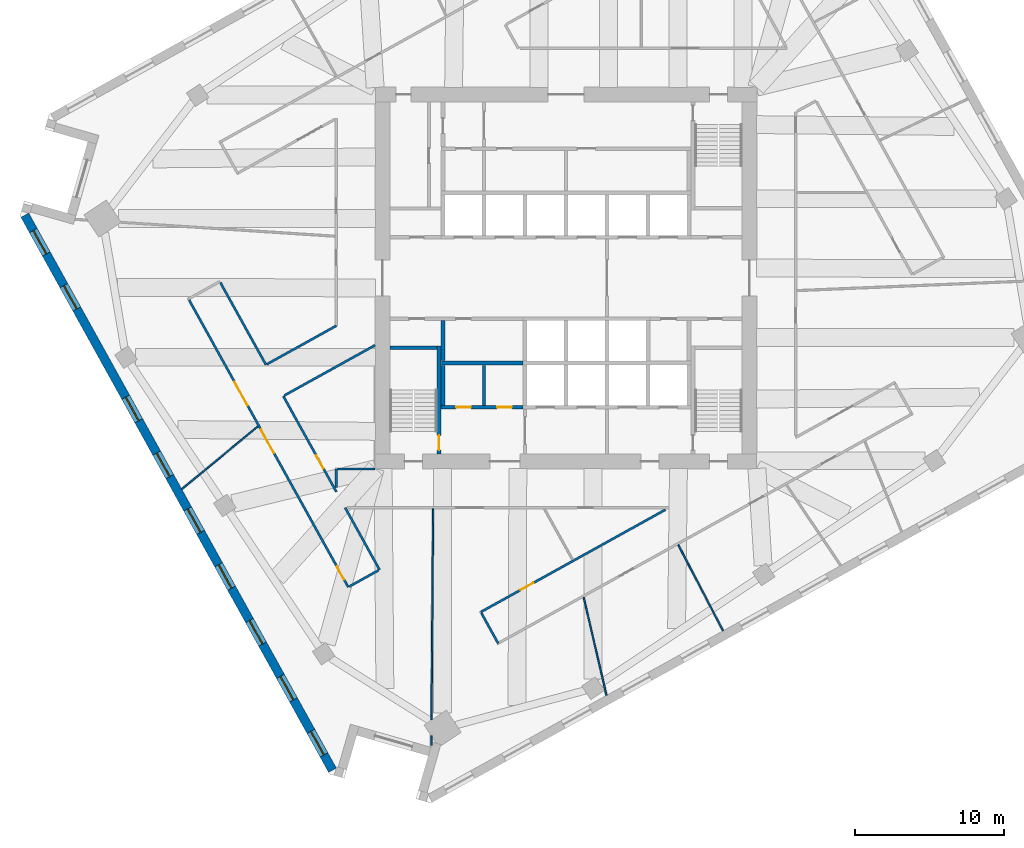
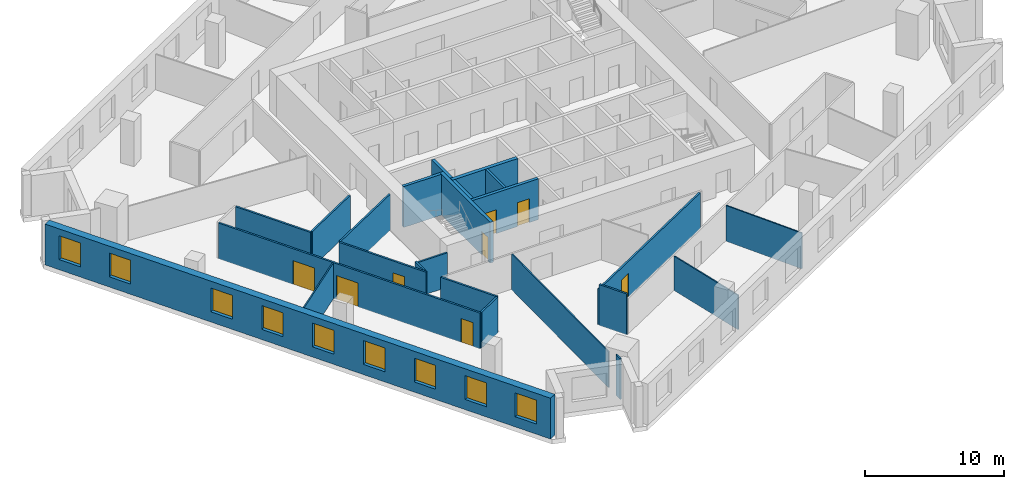
# One storey, part 5 of 12: 24 walls, 9 windows, 8 doors, 17 openings.
"""IFC4 building model written with IfcOpenShell, lengths in metres."""

from ifc_helpers import new_model, si_unit, direction, frame, frame_2d, origin, place, context, subcontext, project, spatial, rectangle, extrude, material, layer, layer_set, type_object, element, fill, save


model = new_model("IFC4")

# Units and contexts
model_context = context("Model", 3, precision=1e-05, world=origin(), true_north=direction((0.0, 1.0)))
body_context = subcontext(model_context, "Body", "Model", "MODEL_VIEW")
ifc_project = project(units=[si_unit("LENGTHUNIT", "METRE"), si_unit("AREAUNIT", "SQUARE_METRE"), si_unit("VOLUMEUNIT", "CUBIC_METRE"), si_unit("PLANEANGLEUNIT", "RADIAN"), si_unit("MASSUNIT", "GRAM", prefix="KILO")], contexts=[model_context])

# Site, building, storey
site_placement = place(None, origin())
site = spatial("IfcSite", under=ifc_project, at=site_placement, CompositionType="ELEMENT")
building_placement = place(site_placement, origin())
building = spatial("IfcBuilding", under=site, at=building_placement, Name="Dilmun Exchange Tower", CompositionType="ELEMENT")
storey_placement = place(building_placement, frame((0.0, 0.0, 143.699951171875)))
storey = spatial("IfcBuildingStorey", under=building, at=storey_placement, Name="L33", CompositionType="ELEMENT", Elevation=143.699951171875)

# Wall
ifc_material_1 = material(Name="Concrete C40/50", Category="concrete")
ifc_layer_1 = layer(ifc_material_1, 0.199951171875)
ifc_layer_set_1 = layer_set([ifc_layer_1], Name="Concrete C40/50")
wall_type_1 = type_object("IfcWallType", Name="Core partition wall 200", PredefinedType="PARTITIONING", material=ifc_layer_set_1)
wall_1_placement = place(storey_placement, frame((-5.5, -8.544921875, 0.0), z_axis=(0.0, 0.0, 1.0), x_axis=(0.0, 1.0, 0.0)))
element("IfcWall", 1, at=wall_1_placement, inside=storey, type_object=wall_type_1, Name="L33 core partition wall 05", PredefinedType="PARTITIONING", context=body_context, shape_type="SweptSolid", body=[
    extrude(rectangle(XDim=2.68994140625, YDim=0.199951171875, at=frame_2d((1.344970703125, 0.0))), origin(), (0.0, 0.0, 1.0), 3.60009765625),
])

# Wall, openings, doors
ifc_layer_2 = layer(ifc_material_1, 0.25)
ifc_layer_set_2 = layer_set([ifc_layer_2], Name="Concrete C40/50")
wall_type_2 = type_object("IfcWallType", Name="Core partition wall 250", PredefinedType="PARTITIONING", material=ifc_layer_set_2)
wall_2_placement = place(storey_placement, frame((-8.3701171875, -8.675048828125, 0.0), z_axis=(0.0, 0.0, 1.0), x_axis=(1.0, 0.0, 0.0)))
wall_2 = element("IfcWall", 2, at=wall_2_placement, inside=storey, type_object=wall_type_2, Name="L33 core partition wall 03", PredefinedType="PARTITIONING", context=body_context, shape_type="SweptSolid", body=[
    extrude(rectangle(XDim=5.490234375, YDim=0.25, at=frame_2d((2.7451171875, 0.0))), origin(), (0.0, 0.0, 1.0), 3.60009765625),
])
opening_1_placement = place(wall_2_placement, frame((0.9951171875, 0.0, 0.0)))
opening_1 = element("IfcOpeningElement", 3, at=opening_1_placement, cuts=wall_2, Name="Opening CD4", PredefinedType="OPENING", context=body_context, shape_type="SweptSolid", body=[
    extrude(rectangle(XDim=1.0, YDim=2.10009765625, at=frame_2d((0.5, 1.050048828125))), frame((0.0, 0.135009765625, 0.0), z_axis=(0.0, -1.0, 0.0), x_axis=(1.0, 0.0, 0.0)), (0.0, 0.0, 1.0), 0.27001953125),
])
opening_2_placement = place(wall_2_placement, frame((3.7451171875, 0.0, 0.0)))
opening_2 = element("IfcOpeningElement", 4, at=opening_2_placement, cuts=wall_2, Name="Opening CD4", PredefinedType="OPENING", context=body_context, shape_type="SweptSolid", body=[
    extrude(rectangle(XDim=1.0, YDim=2.10009765625, at=frame_2d((0.5, 1.050048828125))), frame((0.0, 0.135009765625, 0.0), z_axis=(0.0, -1.0, 0.0), x_axis=(1.0, 0.0, 0.0)), (0.0, 0.0, 1.0), 0.27001953125),
])
ifc_material_2 = material(Name="Fire-rated steel door set", Category="steel")
door_type_1 = type_object("IfcDoorType", Name="Core room door 1000x2100", OperationType="SINGLE_SWING_LEFT", PredefinedType="DOOR", material=ifc_material_2)
door_1_placement = place(opening_1_placement, origin())
door_1 = element("IfcDoor", 5, at=door_1_placement, inside=storey, type_object=door_type_1, Name="L33 door Male WC", OperationType="SINGLE_SWING_RIGHT", OverallHeight=2.10009765625, OverallWidth=1.0, PredefinedType="DOOR", context=body_context, shape_type="SweptSolid", body=[
    extrude(rectangle(XDim=1.0, YDim=2.10009765625, at=frame_2d((0.5, 1.050048828125))), frame((0.0, 0.02490234375, 0.0), z_axis=(0.0, -1.0, 0.0), x_axis=(1.0, 0.0, 0.0)), (0.0, 0.0, 1.0), 0.050048828125),
])
fill(opening_1, door_1)
door_2_placement = place(opening_2_placement, origin())
door_2 = element("IfcDoor", 6, at=door_2_placement, inside=storey, type_object=door_type_1, Name="L33 door Female WC", OperationType="SINGLE_SWING_RIGHT", OverallHeight=2.10009765625, OverallWidth=1.0, PredefinedType="DOOR", context=body_context, shape_type="SweptSolid", body=[
    extrude(rectangle(XDim=1.0, YDim=2.10009765625, at=frame_2d((0.5, 1.050048828125))), frame((0.0, 0.02490234375, 0.0), z_axis=(0.0, -1.0, 0.0), x_axis=(1.0, 0.0, 0.0)), (0.0, 0.0, 1.0), 0.050048828125),
])
fill(opening_2, door_2)

# Walls
for number, where, z_axis, x_axis, name in (
    (7, (-8.25, -8.544921875, 0.0), (0.0, 0.0, 1.0), (0.0, 1.0, 0.0), "L33 core partition wall 04"),
    (8, (-8.25, -5.544921875, 0.0), (0.0, 0.0, 1.0), (0.0, 1.0, 0.0), "L33 core partition wall 07"),
):
    element("IfcWall", number, at=place(storey_placement, frame(where, z_axis=z_axis, x_axis=x_axis)), inside=storey, type_object=wall_type_2, Name=name, PredefinedType="PARTITIONING", context=body_context, shape_type="SweptSolid", body=[
        extrude(rectangle(XDim=2.68994140625, YDim=0.25, at=frame_2d((1.344970703125, 0.0))), origin(), (0.0, 0.0, 1.0), 3.60009765625),
    ])
ifc_layer_3 = layer(ifc_material_1, 0.300048828125)
ifc_layer_set_3 = layer_set([ifc_layer_3], Name="Concrete C40/50")
wall_type_3 = type_object("IfcWallType", Name="Core partition wall 300", PredefinedType="PARTITIONING", material=ifc_layer_set_3)
wall_3_placement = place(storey_placement, frame((-8.35009765625, -5.699951171875, 0.0), z_axis=(0.0, 0.0, 1.0), x_axis=(1.0, 0.0, 0.0)))
element("IfcWall", 9, at=wall_3_placement, inside=storey, type_object=wall_type_3, Name="L33 core partition wall 06", PredefinedType="PARTITIONING", context=body_context, shape_type="SweptSolid", body=[
    extrude(rectangle(XDim=5.47021484375, YDim=0.300048828125, at=frame_2d((2.735107421875, 0.0))), origin(), (0.0, 0.0, 1.0), 3.60009765625),
])

# Wall, openings, doors
ifc_material_3 = material(Name="Corridor wall 150")
ifc_layer_4 = layer(ifc_material_3, 0.14990234375)
ifc_layer_set_4 = layer_set([ifc_layer_4], Name="Corridor wall 150")
wall_type_4 = type_object("IfcWallType", Name="Corridor wall 150", PredefinedType="PARTITIONING", material=ifc_layer_set_4)
wall_4_placement = place(storey_placement, frame((-25.278564453125, -1.466552734375, 0.0), z_axis=(0.0, 0.0, 1.0), x_axis=(0.484803020703, -0.874623365294, 0.0)))
wall_4 = element("IfcWall", 10, at=wall_4_placement, inside=storey, type_object=wall_type_4, Name="Corridor wall", PredefinedType="PARTITIONING", context=body_context, shape_type="SweptSolid", body=[
    extrude(rectangle(XDim=22.020263671875, YDim=0.14990234375, at=frame_2d((11.01025390625, 0.0))), origin(), (0.0, 0.0, 1.0), 3.150146484375),
])
opening_3_placement = place(wall_4_placement, frame((6.300048828125, 0.0, 0.0)))
opening_3 = element("IfcOpeningElement", 11, at=opening_3_placement, cuts=wall_4, Name="Opening TF31-D01", PredefinedType="OPENING", context=body_context, shape_type="SweptSolid", body=[
    extrude(rectangle(XDim=1.800048828125, YDim=2.10009765625, at=frame_2d((0.89990234375, 1.050048828125))), frame((0.0, 0.0849609375, 0.0), z_axis=(0.0, -1.0, 0.0), x_axis=(1.0, 0.0, 0.0)), (0.0, 0.0, 1.0), 0.169921875),
])
opening_4_placement = place(wall_4_placement, frame((9.94775390625, 0.0, 0.0)))
opening_4 = element("IfcOpeningElement", 12, at=opening_4_placement, cuts=wall_4, Name="Opening TF31-D05", PredefinedType="OPENING", context=body_context, shape_type="SweptSolid", body=[
    extrude(rectangle(XDim=1.800048828125, YDim=2.10009765625, at=frame_2d((0.89990234375, 1.050048828125))), frame((0.0, 0.0849609375, 0.0), z_axis=(0.0, -1.0, 0.0), x_axis=(1.0, 0.0, 0.0)), (0.0, 0.0, 1.0), 0.169921875),
])
opening_5_placement = place(wall_4_placement, frame((20.44775390625, 0.0, 0.0)))
opening_5 = element("IfcOpeningElement", 13, at=opening_5_placement, cuts=wall_4, Name="Opening TF31-D06", PredefinedType="OPENING", context=body_context, shape_type="SweptSolid", body=[
    extrude(rectangle(XDim=1.0, YDim=2.10009765625, at=frame_2d((0.5, 1.050048828125))), frame((0.0, 0.0849609375, 0.0), z_axis=(0.0, -1.0, 0.0), x_axis=(1.0, 0.0, 0.0)), (0.0, 0.0, 1.0), 0.169921875),
])
ifc_material_4 = material(Name="Fire door 1000 x 2100")
door_type_2 = type_object("IfcDoorType", Name="Fire door 1000 x 2100", OperationType="NOTDEFINED", PredefinedType="DOOR", material=ifc_material_4)
door_3_placement = place(opening_5_placement, frame((1.0, 0.0, 0.0), z_axis=(0.0, 0.0, 1.0), x_axis=(-1.0, 0.0, 0.0)))
door_3 = element("IfcDoor", 14, at=door_3_placement, inside=storey, type_object=door_type_2, Name="Door TF31-D06", OperationType="SINGLE_SWING_LEFT", OverallHeight=2.10009765625, OverallWidth=1.0, PredefinedType="DOOR", context=body_context, shape_type="SweptSolid", body=[
    extrude(rectangle(XDim=1.0, YDim=2.10009765625, at=frame_2d((0.5, 1.050048828125))), frame((0.0, 0.02490234375, 0.0), z_axis=(0.0, -1.0, 0.0), x_axis=(1.0, 0.0, 0.0)), (0.0, 0.0, 1.0), 0.050048828125),
])
fill(opening_5, door_3)
ifc_material_5 = material(Name="Fire door pair 1800 x 2100")
door_type_3 = type_object("IfcDoorType", Name="Fire door pair 1800 x 2100", OperationType="NOTDEFINED", PredefinedType="DOOR", material=ifc_material_5)
door_4_placement = place(opening_3_placement, frame((1.800048828125, 0.0, 0.0), z_axis=(0.0, 0.0, 1.0), x_axis=(-1.0, 0.0, 0.0)))
door_4 = element("IfcDoor", 15, at=door_4_placement, inside=storey, type_object=door_type_3, Name="Door TF31-D01", OperationType="DOUBLE_DOOR_SINGLE_SWING", OverallHeight=2.10009765625, OverallWidth=1.800048828125, PredefinedType="DOOR", context=body_context, shape_type="SweptSolid", body=[
    extrude(rectangle(XDim=1.800048828125, YDim=2.10009765625, at=frame_2d((0.89990234375, 1.050048828125))), frame((0.0, 0.02490234375, 0.0), z_axis=(0.0, -1.0, 0.0), x_axis=(1.0, 0.0, 0.0)), (0.0, 0.0, 1.0), 0.050048828125),
])
fill(opening_3, door_4)
door_5_placement = place(opening_4_placement, frame((1.800048828125, 0.0, 0.0), z_axis=(0.0, 0.0, 1.0), x_axis=(-1.0, 0.0, 0.0)))
door_5 = element("IfcDoor", 16, at=door_5_placement, inside=storey, type_object=door_type_3, Name="Door TF31-D05", OperationType="DOUBLE_DOOR_SINGLE_SWING", OverallHeight=2.10009765625, OverallWidth=1.800048828125, PredefinedType="DOOR", context=body_context, shape_type="SweptSolid", body=[
    extrude(rectangle(XDim=1.800048828125, YDim=2.10009765625, at=frame_2d((0.89990234375, 1.050048828125))), frame((0.0, 0.02490234375, 0.0), z_axis=(0.0, -1.0, 0.0), x_axis=(1.0, 0.0, 0.0)), (0.0, 0.0, 1.0), 0.050048828125),
])
fill(opening_4, door_5)

# Walls
wall_5_placement = place(storey_placement, frame((-23.1796875, -0.302490234375, 0.0), z_axis=(0.0, 0.0, 1.0), x_axis=(0.48477505554, -0.874638865776, 0.0)))
element("IfcWall", 17, at=wall_5_placement, inside=storey, type_object=wall_type_4, Name="Corridor wall", PredefinedType="PARTITIONING", context=body_context, shape_type="SweptSolid", body=[
    extrude(rectangle(XDim=6.307373046875, YDim=0.14990234375, at=frame_2d((3.15380859375, 0.0))), origin(), (0.0, 0.0, 1.0), 3.150146484375),
])
wall_6_placement = place(storey_placement, frame((-20.056396484375, -5.78271484375, 0.0), z_axis=(0.0, 0.0, 1.0), x_axis=(0.874645694613, 0.484762734638, 0.0)))
element("IfcWall", 18, at=wall_6_placement, inside=storey, type_object=wall_type_4, Name="Corridor wall", PredefinedType="PARTITIONING", context=body_context, shape_type="SweptSolid", body=[
    extrude(rectangle(XDim=5.323974609375, YDim=0.14990234375, at=frame_2d((2.662109375, 0.0))), origin(), (0.0, 0.0, 1.0), 3.150146484375),
])

# Wall, opening, door
wall_7_placement = place(storey_placement, frame((-18.958984375, -7.91796875, 0.0), z_axis=(0.0, 0.0, 1.0), x_axis=(0.484857684507, -0.874593062958, 0.0)))
wall_7 = element("IfcWall", 19, at=wall_7_placement, inside=storey, type_object=wall_type_4, Name="Corridor wall", PredefinedType="PARTITIONING", context=body_context, shape_type="SweptSolid", body=[
    extrude(rectangle(XDim=7.340576171875, YDim=0.14990234375, at=frame_2d((3.67041015625, 0.0))), origin(), (0.0, 0.0, 1.0), 3.150146484375),
])
opening_6_placement = place(wall_7_placement, frame((4.55029296875, 0.0, 0.0)))
opening_6 = element("IfcOpeningElement", 20, at=opening_6_placement, cuts=wall_7, Name="Opening TF31-D07", PredefinedType="OPENING", context=body_context, shape_type="SweptSolid", body=[
    extrude(rectangle(XDim=1.0, YDim=2.10009765625, at=frame_2d((0.5, 1.050048828125))), frame((0.0, 0.0849609375, 0.0), z_axis=(0.0, -1.0, 0.0), x_axis=(1.0, 0.0, 0.0)), (0.0, 0.0, 1.0), 0.169921875),
])
door_6_placement = place(opening_6_placement, origin())
door_6 = element("IfcDoor", 21, at=door_6_placement, inside=storey, type_object=door_type_2, Name="Door TF31-D07", OperationType="SINGLE_SWING_LEFT", OverallHeight=2.10009765625, OverallWidth=1.0, PredefinedType="DOOR", context=body_context, shape_type="SweptSolid", body=[
    extrude(rectangle(XDim=1.0, YDim=2.10009765625, at=frame_2d((0.5, 1.050048828125))), frame((0.0, 0.02490234375, 0.0), z_axis=(0.0, -1.0, 0.0), x_axis=(1.0, 0.0, 0.0)), (0.0, 0.0, 1.0), 0.050048828125),
])
fill(opening_6, door_6)

# Walls
wall_8_placement = place(storey_placement, frame((-18.893310546875, -7.881591796875, 0.0), z_axis=(0.0, 0.0, 1.0), x_axis=(0.874670900287, 0.484717253861, 0.0)))
element("IfcWall", 22, at=wall_8_placement, inside=storey, type_object=wall_type_4, Name="Corridor wall", PredefinedType="PARTITIONING", context=body_context, shape_type="SweptSolid", body=[
    extrude(rectangle(XDim=6.96630859375, YDim=0.14990234375, at=frame_2d((3.483154296875, 0.0))), origin(), (0.0, 0.0, 1.0), 3.150146484375),
])
wall_9_placement = place(storey_placement, frame((-15.39990234375, -14.048095703125, 0.0), z_axis=(0.0, 0.0, 1.0), x_axis=(0.0, 1.0, 0.0)))
element("IfcWall", 23, at=wall_9_placement, inside=storey, type_object=wall_type_4, Name="Corridor wall", PredefinedType="PARTITIONING", context=body_context, shape_type="SweptSolid", body=[
    extrude(rectangle(XDim=1.248046875, YDim=0.14990234375, at=frame_2d((0.6240234375, 0.0))), origin(), (0.0, 0.0, 1.0), 3.150146484375),
])
wall_10_placement = place(storey_placement, frame((-15.324951171875, -12.800048828125, 0.0), z_axis=(0.0, 0.0, 1.0), x_axis=(1.0, 0.0, 0.0)))
element("IfcWall", 24, at=wall_10_placement, inside=storey, type_object=wall_type_4, Name="Corridor wall", PredefinedType="PARTITIONING", context=body_context, shape_type="SweptSolid", body=[
    extrude(rectangle(XDim=2.52490234375, YDim=0.14990234375, at=frame_2d((1.262451171875, 0.0))), origin(), (0.0, 0.0, 1.0), 3.030029296875),
])
wall_11_placement = place(storey_placement, frame((-14.81103515625, -15.39990234375, 0.0), z_axis=(0.0, 0.0, 1.0), x_axis=(0.484728084089, -0.874664898401, 0.0)))
element("IfcWall", 25, at=wall_11_placement, inside=storey, type_object=wall_type_4, Name="Corridor wall", PredefinedType="PARTITIONING", context=body_context, shape_type="SweptSolid", body=[
    extrude(rectangle(XDim=4.759521484375, YDim=0.14990234375, at=frame_2d((2.3798828125, 0.0))), origin(), (0.0, 0.0, 1.0), 3.150146484375),
])
wall_12_placement = place(storey_placement, frame((-14.537353515625, -20.689697265625, 0.0), z_axis=(0.0, 0.0, 1.0), x_axis=(0.874699347934, 0.48466591661, 0.0)))
element("IfcWall", 26, at=wall_12_placement, inside=storey, type_object=wall_type_4, Name="Corridor wall", PredefinedType="PARTITIONING", context=body_context, shape_type="SweptSolid", body=[
    extrude(rectangle(XDim=2.249755859375, YDim=0.14990234375, at=frame_2d((1.125, 0.0))), origin(), (0.0, 0.0, 1.0), 3.150146484375),
])

# Wall, opening, door
wall_13_placement = place(storey_placement, frame((-5.714111328125, -22.39892578125, 0.0), z_axis=(0.0, 0.0, 1.0), x_axis=(0.874614395079, 0.484819203334, 0.0)))
wall_13 = element("IfcWall", 27, at=wall_13_placement, inside=storey, type_object=wall_type_4, Name="Corridor wall", PredefinedType="PARTITIONING", context=body_context, shape_type="SweptSolid", body=[
    extrude(rectangle(XDim=14.146240234375, YDim=0.14990234375, at=frame_2d((7.0732421875, 0.0))), origin(), (0.0, 0.0, 1.0), 3.150146484375),
])
opening_7_placement = place(wall_13_placement, frame((3.050048828125, 0.0, 0.0)))
opening_7 = element("IfcOpeningElement", 28, at=opening_7_placement, cuts=wall_13, Name="Opening TF31-D11", PredefinedType="OPENING", context=body_context, shape_type="SweptSolid", body=[
    extrude(rectangle(XDim=1.0, YDim=2.10009765625, at=frame_2d((0.5, 1.050048828125))), frame((0.0, 0.0849609375, 0.0), z_axis=(0.0, -1.0, 0.0), x_axis=(1.0, 0.0, 0.0)), (0.0, 0.0, 1.0), 0.169921875),
])
door_7_placement = place(opening_7_placement, origin())
door_7 = element("IfcDoor", 29, at=door_7_placement, inside=storey, type_object=door_type_2, Name="Door TF31-D11", OperationType="SINGLE_SWING_LEFT", OverallHeight=2.10009765625, OverallWidth=1.0, PredefinedType="DOOR", context=body_context, shape_type="SweptSolid", body=[
    extrude(rectangle(XDim=1.0, YDim=2.10009765625, at=frame_2d((0.5, 1.050048828125))), frame((0.0, 0.02490234375, 0.0), z_axis=(0.0, -1.0, 0.0), x_axis=(1.0, 0.0, 0.0)), (0.0, 0.0, 1.0), 0.050048828125),
])
fill(opening_7, door_7)

# Walls
wall_14_placement = place(storey_placement, frame((-5.677490234375, -22.464599609375, 0.0), z_axis=(0.0, 0.0, 1.0), x_axis=(0.484902784843, -0.874568058673, 0.0)))
element("IfcWall", 30, at=wall_14_placement, inside=storey, type_object=wall_type_4, Name="Corridor wall", PredefinedType="PARTITIONING", context=body_context, shape_type="SweptSolid", body=[
    extrude(rectangle(XDim=2.3251953125, YDim=0.14990234375, at=frame_2d((1.16259765625, 0.0))), origin(), (0.0, 0.0, 1.0), 3.60009765625),
])
ifc_material_6 = material(Name="Partition 100")
ifc_layer_5 = layer(ifc_material_6, 0.10009765625)
ifc_layer_set_5 = layer_set([ifc_layer_5], Name="Partition 100")
wall_type_5 = type_object("IfcWallType", Name="Partition 100", PredefinedType="PARTITIONING", material=ifc_layer_set_5)
wall_15_placement = place(storey_placement, frame((-25.76513671875, -14.15673828125, 0.0), z_axis=(0.0, 0.0, 1.0), x_axis=(0.772001730939, 0.635620427164, 0.0)))
element("IfcWall", 31, at=wall_15_placement, inside=storey, type_object=wall_type_5, Name="Partition", PredefinedType="PARTITIONING", context=body_context, shape_type="SweptSolid", body=[
    extrude(rectangle(XDim=6.603759765625, YDim=0.10009765625, at=frame_2d((3.3017578125, 0.0))), origin(), (0.0, 0.0, 1.0), 3.150146484375),
])
wall_16_placement = place(storey_placement, frame((-9.0361328125, -31.340087890625, 0.0), z_axis=(0.0, 0.0, 1.0), x_axis=(0.008145579251, 0.999966824219, 0.0)))
element("IfcWall", 32, at=wall_16_placement, inside=storey, type_object=wall_type_5, Name="Partition", PredefinedType="PARTITIONING", context=body_context, shape_type="SweptSolid", body=[
    extrude(rectangle(XDim=0.62939453125, YDim=0.10009765625, at=frame_2d((0.314697265625, 0.0))), origin(), (0.0, 0.0, 1.0), 3.60009765625),
])
wall_17_placement = place(storey_placement, frame((-9.022705078125, -29.63720703125, 0.0), z_axis=(0.0, 0.0, 1.0), x_axis=(0.007843639619, 0.999969238186, 0.0)))
element("IfcWall", 33, at=wall_17_placement, inside=storey, type_object=wall_type_5, Name="Partition", PredefinedType="PARTITIONING", context=body_context, shape_type="SweptSolid", body=[
    extrude(rectangle(XDim=14.162353515625, YDim=0.10009765625, at=frame_2d((7.0810546875, 0.0))), origin(), (0.0, 0.0, 1.0), 3.150146484375),
])
wall_18_placement = place(storey_placement, frame((1.18798828125, -21.4189453125, 0.0), z_axis=(0.0, 0.0, 1.0), x_axis=(0.226360220424, -0.974043659499, 0.0)))
element("IfcWall", 34, at=wall_18_placement, inside=storey, type_object=wall_type_5, Name="Partition", PredefinedType="PARTITIONING", context=body_context, shape_type="SweptSolid", body=[
    extrude(rectangle(XDim=6.747314453125, YDim=0.10009765625, at=frame_2d((3.37353515625, 0.0))), origin(), (0.0, 0.0, 1.0), 3.030029296875),
])
wall_19_placement = place(storey_placement, frame((7.5244140625, -17.892578125, 0.0), z_axis=(0.0, 0.0, 1.0), x_axis=(0.462569855846, -0.886582837902, 0.0)))
element("IfcWall", 35, at=wall_19_placement, inside=storey, type_object=wall_type_5, Name="Partition", PredefinedType="PARTITIONING", context=body_context, shape_type="SweptSolid", body=[
    extrude(rectangle(XDim=6.5029296875, YDim=0.10009765625, at=frame_2d((3.25146484375, 0.0))), origin(), (0.0, 0.0, 1.0), 3.150146484375),
])

# Wall, openings, windows
ifc_material_7 = material(Name="Precast concrete C50/60", Category="concrete")
ifc_layer_6 = layer(ifc_material_7, 0.60009765625)
ifc_layer_set_6 = layer_set([ifc_layer_6], Name="Precast concrete C50/60")
wall_type_6 = type_object("IfcWallType", Name="Precast stone-clad wall 600", PredefinedType="STANDARD", material=ifc_layer_set_6)
wall_20_placement = place(storey_placement, frame((-36.291015625, 4.209228515625, 0.0), z_axis=(0.0, 0.0, 1.0), x_axis=(0.484810659622, -0.874619131003, 0.0)))
wall_20 = element("IfcWall", 36, at=wall_20_placement, inside=storey, type_object=wall_type_6, Name="Facade wall L33-09", PredefinedType="STANDARD", context=body_context, shape_type="SweptSolid", body=[
    extrude(rectangle(XDim=42.551513671875, YDim=0.60009765625, at=frame_2d((21.27587890625, 0.0))), origin(), (0.0, 0.0, 1.0), 3.60009765625),
])
opening_8_placement = place(wall_20_placement, frame((1.177978515625, 0.0, 0.89990234375)))
opening_8 = element("IfcOpeningElement", 37, at=opening_8_placement, cuts=wall_20, Name="Opening W180-210", PredefinedType="OPENING", context=body_context, shape_type="SweptSolid", body=[
    extrude(rectangle(XDim=1.800048828125, YDim=2.10009765625, at=frame_2d((0.89990234375, 1.050048828125))), frame((0.0, 0.31005859375, 0.0), z_axis=(0.0, -1.0, 0.0), x_axis=(1.0, 0.0, 0.0)), (0.0, 0.0, 1.0), 0.6201171875),
])
opening_9_placement = place(wall_20_placement, frame((5.395751953125, 0.0, 0.89990234375)))
opening_9 = element("IfcOpeningElement", 38, at=opening_9_placement, cuts=wall_20, Name="Opening W180-210", PredefinedType="OPENING", context=body_context, shape_type="SweptSolid", body=[
    extrude(rectangle(XDim=1.800048828125, YDim=2.10009765625, at=frame_2d((0.89990234375, 1.050048828125))), frame((0.0, 0.31005859375, 0.0), z_axis=(0.0, -1.0, 0.0), x_axis=(1.0, 0.0, 0.0)), (0.0, 0.0, 1.0), 0.6201171875),
])
opening_10_placement = place(wall_20_placement, frame((13.955810546875, 0.0, 0.89990234375)))
opening_10 = element("IfcOpeningElement", 39, at=opening_10_placement, cuts=wall_20, Name="Opening W180-210", PredefinedType="OPENING", context=body_context, shape_type="SweptSolid", body=[
    extrude(rectangle(XDim=1.800048828125, YDim=2.10009765625, at=frame_2d((0.89990234375, 1.050048828125))), frame((0.0, 0.31005859375, 0.0), z_axis=(0.0, -1.0, 0.0), x_axis=(1.0, 0.0, 0.0)), (0.0, 0.0, 1.0), 0.6201171875),
])
opening_11_placement = place(wall_20_placement, frame((18.235595703125, 0.0, 0.89990234375)))
opening_11 = element("IfcOpeningElement", 40, at=opening_11_placement, cuts=wall_20, Name="Opening W180-210", PredefinedType="OPENING", context=body_context, shape_type="SweptSolid", body=[
    extrude(rectangle(XDim=1.800048828125, YDim=2.10009765625, at=frame_2d((0.89990234375, 1.050048828125))), frame((0.0, 0.31005859375, 0.0), z_axis=(0.0, -1.0, 0.0), x_axis=(1.0, 0.0, 0.0)), (0.0, 0.0, 1.0), 0.6201171875),
])
opening_12_placement = place(wall_20_placement, frame((22.515625, 0.0, 0.89990234375)))
opening_12 = element("IfcOpeningElement", 41, at=opening_12_placement, cuts=wall_20, Name="Opening W180-210", PredefinedType="OPENING", context=body_context, shape_type="SweptSolid", body=[
    extrude(rectangle(XDim=1.800048828125, YDim=2.10009765625, at=frame_2d((0.89990234375, 1.050048828125))), frame((0.0, 0.31005859375, 0.0), z_axis=(0.0, -1.0, 0.0), x_axis=(1.0, 0.0, 0.0)), (0.0, 0.0, 1.0), 0.6201171875),
])
opening_13_placement = place(wall_20_placement, frame((26.795654296875, 0.0, 0.89990234375)))
opening_13 = element("IfcOpeningElement", 42, at=opening_13_placement, cuts=wall_20, Name="Opening W180-210", PredefinedType="OPENING", context=body_context, shape_type="SweptSolid", body=[
    extrude(rectangle(XDim=1.800048828125, YDim=2.10009765625, at=frame_2d((0.89990234375, 1.050048828125))), frame((0.0, 0.31005859375, 0.0), z_axis=(0.0, -1.0, 0.0), x_axis=(1.0, 0.0, 0.0)), (0.0, 0.0, 1.0), 0.6201171875),
])
opening_14_placement = place(wall_20_placement, frame((31.07568359375, 0.0, 0.89990234375)))
opening_14 = element("IfcOpeningElement", 43, at=opening_14_placement, cuts=wall_20, Name="Opening W180-210", PredefinedType="OPENING", context=body_context, shape_type="SweptSolid", body=[
    extrude(rectangle(XDim=1.800048828125, YDim=2.10009765625, at=frame_2d((0.89990234375, 1.050048828125))), frame((0.0, 0.31005859375, 0.0), z_axis=(0.0, -1.0, 0.0), x_axis=(1.0, 0.0, 0.0)), (0.0, 0.0, 1.0), 0.6201171875),
])
opening_15_placement = place(wall_20_placement, frame((35.355712890625, 0.0, 0.89990234375)))
opening_15 = element("IfcOpeningElement", 44, at=opening_15_placement, cuts=wall_20, Name="Opening W180-210", PredefinedType="OPENING", context=body_context, shape_type="SweptSolid", body=[
    extrude(rectangle(XDim=1.800048828125, YDim=2.10009765625, at=frame_2d((0.89990234375, 1.050048828125))), frame((0.0, 0.31005859375, 0.0), z_axis=(0.0, -1.0, 0.0), x_axis=(1.0, 0.0, 0.0)), (0.0, 0.0, 1.0), 0.6201171875),
])
opening_16_placement = place(wall_20_placement, frame((39.573486328125, 0.0, 0.89990234375)))
opening_16 = element("IfcOpeningElement", 45, at=opening_16_placement, cuts=wall_20, Name="Opening W180-210", PredefinedType="OPENING", context=body_context, shape_type="SweptSolid", body=[
    extrude(rectangle(XDim=1.800048828125, YDim=2.10009765625, at=frame_2d((0.89990234375, 1.050048828125))), frame((0.0, 0.31005859375, 0.0), z_axis=(0.0, -1.0, 0.0), x_axis=(1.0, 0.0, 0.0)), (0.0, 0.0, 1.0), 0.6201171875),
])
ifc_material_8 = material(Name="Clear low-emissivity glass in aluminium frame", Category="aluminium")
window_type = type_object("IfcWindowType", Name="Punched window 1800 x 2100", PartitioningType="DOUBLE_PANEL_VERTICAL", PredefinedType="WINDOW", material=ifc_material_8)
window_1_placement = place(opening_8_placement, origin())
window_1 = element("IfcWindow", 46, at=window_1_placement, inside=storey, type_object=window_type, Name="Window 10.1", OverallHeight=2.10009765625, OverallWidth=1.800048828125, PartitioningType="SINGLE_PANEL", PredefinedType="WINDOW", context=body_context, shape_type="SweptSolid", body=[
    extrude(rectangle(XDim=1.800048828125, YDim=2.10009765625, at=frame_2d((0.89990234375, 1.050048828125))), frame((0.0, 0.030029296875, 0.0), z_axis=(0.0, -1.0, 0.0), x_axis=(1.0, 0.0, 0.0)), (0.0, 0.0, 1.0), 0.06005859375),
])
fill(opening_8, window_1)
window_2_placement = place(opening_9_placement, origin())
window_2 = element("IfcWindow", 47, at=window_2_placement, inside=storey, type_object=window_type, Name="Window 10.2", OverallHeight=2.10009765625, OverallWidth=1.800048828125, PartitioningType="SINGLE_PANEL", PredefinedType="WINDOW", context=body_context, shape_type="SweptSolid", body=[
    extrude(rectangle(XDim=1.800048828125, YDim=2.10009765625, at=frame_2d((0.89990234375, 1.050048828125))), frame((0.0, 0.030029296875, 0.0), z_axis=(0.0, -1.0, 0.0), x_axis=(1.0, 0.0, 0.0)), (0.0, 0.0, 1.0), 0.06005859375),
])
fill(opening_9, window_2)
window_3_placement = place(opening_10_placement, origin())
window_3 = element("IfcWindow", 48, at=window_3_placement, inside=storey, type_object=window_type, Name="Window 10.4", OverallHeight=2.10009765625, OverallWidth=1.800048828125, PartitioningType="SINGLE_PANEL", PredefinedType="WINDOW", context=body_context, shape_type="SweptSolid", body=[
    extrude(rectangle(XDim=1.800048828125, YDim=2.10009765625, at=frame_2d((0.89990234375, 1.050048828125))), frame((0.0, 0.030029296875, 0.0), z_axis=(0.0, -1.0, 0.0), x_axis=(1.0, 0.0, 0.0)), (0.0, 0.0, 1.0), 0.06005859375),
])
fill(opening_10, window_3)
window_4_placement = place(opening_11_placement, origin())
window_4 = element("IfcWindow", 49, at=window_4_placement, inside=storey, type_object=window_type, Name="Window 10.5", OverallHeight=2.10009765625, OverallWidth=1.800048828125, PartitioningType="SINGLE_PANEL", PredefinedType="WINDOW", context=body_context, shape_type="SweptSolid", body=[
    extrude(rectangle(XDim=1.800048828125, YDim=2.10009765625, at=frame_2d((0.89990234375, 1.050048828125))), frame((0.0, 0.030029296875, 0.0), z_axis=(0.0, -1.0, 0.0), x_axis=(1.0, 0.0, 0.0)), (0.0, 0.0, 1.0), 0.06005859375),
])
fill(opening_11, window_4)
window_5_placement = place(opening_12_placement, origin())
window_5 = element("IfcWindow", 50, at=window_5_placement, inside=storey, type_object=window_type, Name="Window 10.6", OverallHeight=2.10009765625, OverallWidth=1.800048828125, PartitioningType="SINGLE_PANEL", PredefinedType="WINDOW", context=body_context, shape_type="SweptSolid", body=[
    extrude(rectangle(XDim=1.800048828125, YDim=2.10009765625, at=frame_2d((0.89990234375, 1.050048828125))), frame((0.0, 0.030029296875, 0.0), z_axis=(0.0, -1.0, 0.0), x_axis=(1.0, 0.0, 0.0)), (0.0, 0.0, 1.0), 0.06005859375),
])
fill(opening_12, window_5)
window_6_placement = place(opening_13_placement, origin())
window_6 = element("IfcWindow", 51, at=window_6_placement, inside=storey, type_object=window_type, Name="Window 10.7", OverallHeight=2.10009765625, OverallWidth=1.800048828125, PartitioningType="SINGLE_PANEL", PredefinedType="WINDOW", context=body_context, shape_type="SweptSolid", body=[
    extrude(rectangle(XDim=1.800048828125, YDim=2.10009765625, at=frame_2d((0.89990234375, 1.050048828125))), frame((0.0, 0.030029296875, 0.0), z_axis=(0.0, -1.0, 0.0), x_axis=(1.0, 0.0, 0.0)), (0.0, 0.0, 1.0), 0.06005859375),
])
fill(opening_13, window_6)
window_7_placement = place(opening_14_placement, origin())
window_7 = element("IfcWindow", 52, at=window_7_placement, inside=storey, type_object=window_type, Name="Window 10.8", OverallHeight=2.10009765625, OverallWidth=1.800048828125, PartitioningType="SINGLE_PANEL", PredefinedType="WINDOW", context=body_context, shape_type="SweptSolid", body=[
    extrude(rectangle(XDim=1.800048828125, YDim=2.10009765625, at=frame_2d((0.89990234375, 1.050048828125))), frame((0.0, 0.030029296875, 0.0), z_axis=(0.0, -1.0, 0.0), x_axis=(1.0, 0.0, 0.0)), (0.0, 0.0, 1.0), 0.06005859375),
])
fill(opening_14, window_7)
window_8_placement = place(opening_15_placement, origin())
window_8 = element("IfcWindow", 53, at=window_8_placement, inside=storey, type_object=window_type, Name="Window 10.9", OverallHeight=2.10009765625, OverallWidth=1.800048828125, PartitioningType="SINGLE_PANEL", PredefinedType="WINDOW", context=body_context, shape_type="SweptSolid", body=[
    extrude(rectangle(XDim=1.800048828125, YDim=2.10009765625, at=frame_2d((0.89990234375, 1.050048828125))), frame((0.0, 0.030029296875, 0.0), z_axis=(0.0, -1.0, 0.0), x_axis=(1.0, 0.0, 0.0)), (0.0, 0.0, 1.0), 0.06005859375),
])
fill(opening_15, window_8)
window_9_placement = place(opening_16_placement, origin())
window_9 = element("IfcWindow", 54, at=window_9_placement, inside=storey, type_object=window_type, Name="Window 10.10", OverallHeight=2.10009765625, OverallWidth=1.800048828125, PartitioningType="SINGLE_PANEL", PredefinedType="WINDOW", context=body_context, shape_type="SweptSolid", body=[
    extrude(rectangle(XDim=1.800048828125, YDim=2.10009765625, at=frame_2d((0.89990234375, 1.050048828125))), frame((0.0, 0.030029296875, 0.0), z_axis=(0.0, -1.0, 0.0), x_axis=(1.0, 0.0, 0.0)), (0.0, 0.0, 1.0), 0.06005859375),
])
fill(opening_16, window_9)

# Wall
ifc_layer_7 = layer(ifc_material_1, 0.25)
ifc_layer_set_7 = layer_set([ifc_layer_7], Name="Concrete C40/50")
wall_type_7 = type_object("IfcWallType", Name="Stair end wall 250", PredefinedType="SOLIDWALL", material=ifc_layer_set_7)
wall_21_placement = place(storey_placement, frame((-8.64990234375, -4.675048828125, 0.0), z_axis=(0.0, 0.0, 1.0), x_axis=(-1.0, 0.0, 0.0)))
element("IfcWall", 55, at=wall_21_placement, inside=storey, type_object=wall_type_7, Name="L33 ST2 far wall", PredefinedType="SOLIDWALL", context=body_context, shape_type="SweptSolid", body=[
    extrude(rectangle(XDim=3.150146484375, YDim=0.25, at=frame_2d((1.5751953125, 0.0))), origin(), (0.0, 0.0, 1.0), 3.60009765625),
])

# Wall, opening, door
ifc_layer_8 = layer(ifc_material_1, 0.27490234375)
ifc_layer_set_8 = layer_set([ifc_layer_8], Name="Concrete C40/50")
wall_type_8 = type_object("IfcWallType", Name="Stair wall 275", PredefinedType="SOLIDWALL", material=ifc_layer_set_8)
wall_22_placement = place(storey_placement, frame((-8.512451171875, -4.550048828125, 0.0), z_axis=(0.0, 0.0, 1.0), x_axis=(0.0, -1.0, 0.0)))
wall_22 = element("IfcWall", 56, at=wall_22_placement, inside=storey, type_object=wall_type_8, Name="L33 ST2 wall to lift block", PredefinedType="SOLIDWALL", context=body_context, shape_type="SweptSolid", body=[
    extrude(rectangle(XDim=7.25, YDim=0.27490234375, at=frame_2d((3.625, 0.0))), origin(), (0.0, 0.0, 1.0), 3.60009765625),
])
opening_17_placement = place(wall_22_placement, frame((6.0, 0.0, 0.0)))
opening_17 = element("IfcOpeningElement", 57, at=opening_17_placement, cuts=wall_22, Name="Opening CD4", PredefinedType="OPENING", context=body_context, shape_type="SweptSolid", body=[
    extrude(rectangle(XDim=1.0, YDim=2.10009765625, at=frame_2d((0.5, 1.050048828125))), frame((0.0, 0.1474609375, 0.0), z_axis=(0.0, -1.0, 0.0), x_axis=(1.0, 0.0, 0.0)), (0.0, 0.0, 1.0), 0.294921875),
])
door_8_placement = place(opening_17_placement, origin())
door_8 = element("IfcDoor", 58, at=door_8_placement, inside=storey, type_object=door_type_1, Name="L33 door ST2 from lobby", OperationType="SINGLE_SWING_LEFT", OverallHeight=2.10009765625, OverallWidth=1.0, PredefinedType="DOOR", context=body_context, shape_type="SweptSolid", body=[
    extrude(rectangle(XDim=1.0, YDim=2.10009765625, at=frame_2d((0.5, 1.050048828125))), frame((0.0, 0.02490234375, 0.0), z_axis=(0.0, -1.0, 0.0), x_axis=(1.0, 0.0, 0.0)), (0.0, 0.0, 1.0), 0.050048828125),
])
fill(opening_17, door_8)

save(model, "model.ifc")
